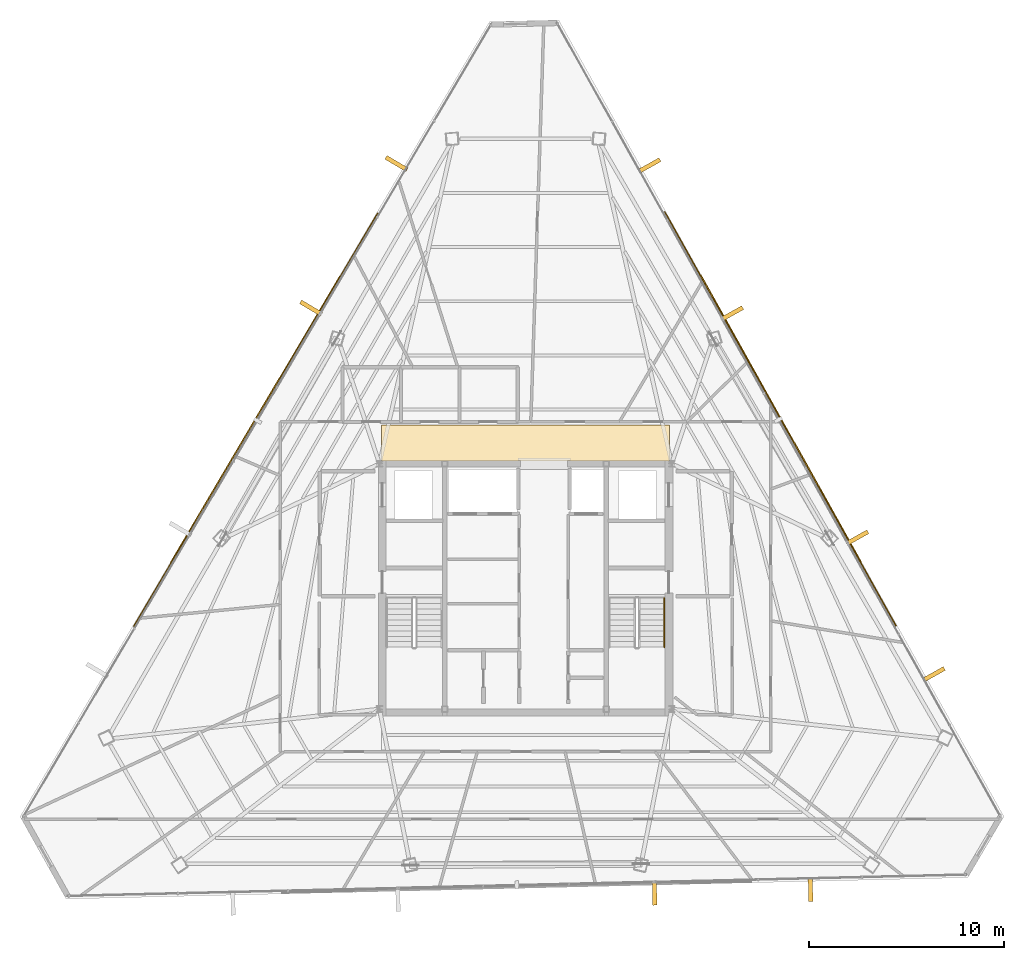
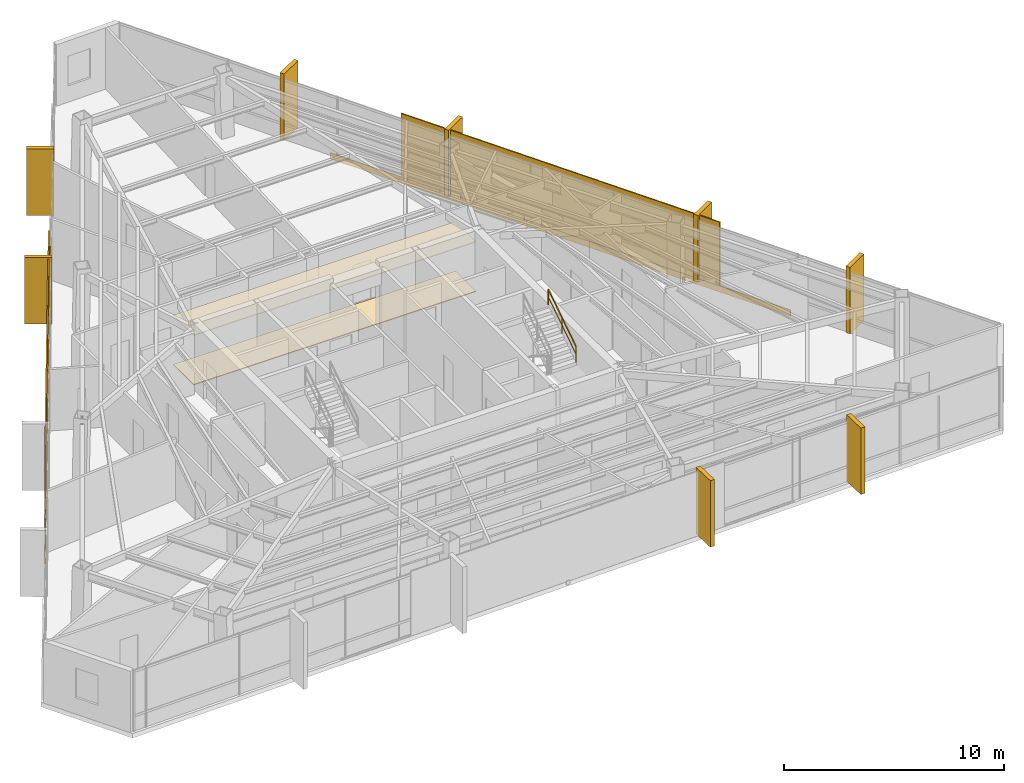
# One storey, part 44 of 44: 12 coverings, 2 shading devices, 1 railing.
"""IFC4 building model written with IfcOpenShell, lengths in metres."""

from ifc_helpers import new_model, si_unit, direction, frame, origin, origin_2d, place, context, subcontext, project, spatial, polyline, rectangle, outline, extrude, source, transform, mapped, material, layer, layer_set, type_object, type_shapes, element, save


model = new_model("IFC4")

# Units and contexts
model_context = context("Model", 3, precision=1e-05, world=origin(), true_north=direction((0.0, 1.0)))
body_context = subcontext(model_context, "Body", "Model", "MODEL_VIEW")
ifc_project = project(units=[si_unit("LENGTHUNIT", "METRE"), si_unit("AREAUNIT", "SQUARE_METRE"), si_unit("VOLUMEUNIT", "CUBIC_METRE"), si_unit("PLANEANGLEUNIT", "RADIAN"), si_unit("MASSUNIT", "GRAM", prefix="KILO")], contexts=[model_context])

# Site, building, storey
site_placement = place(None, origin())
site = spatial("IfcSite", under=ifc_project, at=site_placement, CompositionType="ELEMENT")
building_placement = place(site_placement, origin())
building = spatial("IfcBuilding", under=site, at=building_placement, Name="Caelisora Broadcast Tower", CompositionType="ELEMENT")
storey_placement = place(building_placement, frame((0.0, 0.0, 259.050048828125)))
storey = spatial("IfcBuildingStorey", under=building, at=storey_placement, Name="L68", CompositionType="ELEMENT", Elevation=259.050048828125)

# Coverings
ifc_material_1 = material(Name="Perforated Mineral-Fibre Acoustic Ceiling Tile", Category="gypsum")
ifc_layer_1 = layer(ifc_material_1, 0.034912109375, Name="Perforated Mineral-Fibre Acoustic Ceiling Tile")
ifc_layer_set_1 = layer_set([ifc_layer_1], Name="Perforated Mineral-Fibre Acoustic Ceiling Tile")
covering_type_1 = type_object("IfcCoveringType", Name="CE-1", PredefinedType="CEILING", material=ifc_layer_set_1)
covering_1_placement = place(storey_placement, frame((0.0, 0.0, 2.75)))
element("IfcCovering", 1, at=covering_1_placement, inside=storey, type_object=covering_type_1, Name="L68 acoustic corridor ceiling CE-1 (N)", PredefinedType="CEILING", context=body_context, shape_type="SweptSolid", body=[
    extrude(outline(polyline([(30.60009765625, 30.14990234375), (45.39990234375, 30.14990234375), (45.39990234375, 32.0), (30.60009765625, 32.0), (30.60009765625, 30.14990234375)])), origin(), (0.0, 0.0, 1.0), 0.034912109375),
])
ifc_material_2 = material(Name="Anti-Static Broadcast Raised Access Floor Panel", Category="steel")
ifc_layer_2 = layer(ifc_material_2, 0.044921875, Name="Anti-Static Broadcast Raised Access Floor Panel")
ifc_layer_set_2 = layer_set([ifc_layer_2], Name="Anti-Static Broadcast Raised Access Floor Panel")
covering_type_2 = type_object("IfcCoveringType", Name="FL-1", PredefinedType="FLOORING", material=ifc_layer_set_2)
covering_2_placement = place(storey_placement, origin())
element("IfcCovering", 2, at=covering_2_placement, inside=storey, type_object=covering_type_2, Name="L68 broadcast raised access floor FL-1 (N)", PredefinedType="FLOORING", context=body_context, shape_type="SweptSolid", body=[
    extrude(outline(polyline([(30.60009765625, 30.14990234375), (45.39990234375, 30.14990234375), (45.39990234375, 32.0), (30.60009765625, 32.0), (30.60009765625, 30.14990234375)])), origin(), (0.0, 0.0, 1.0), 0.044921875),
])

# Railing
ifc_material_3 = material(Name="Stainless Steel Grade 316 Tubular Handrail", Category="steel")
ifc_layer_3 = layer(ifc_material_3, 0.048095703125, Name="Stainless Steel Grade 316 Tubular Handrail")
ifc_layer_set_3 = layer_set([ifc_layer_3], Name="Stainless Steel Grade 316 Tubular Handrail")
railing_type = type_object("IfcRailingType", Name="HR-1", PredefinedType="HANDRAIL", material=ifc_layer_set_3)
railing_placement = place(storey_placement, frame((45.1298828125, 20.580078125, 2.007568359375)))
element("IfcRailing", 3, at=railing_placement, inside=storey, type_object=railing_type, Name="L68 ST-2 stair handrail 2", PredefinedType="HANDRAIL", context=body_context, shape_type="SweptSolid", body=[
    extrude(rectangle(XDim=0.048095703125, YDim=0.048095703125, at=origin_2d()), frame((0.0, 0.0, 0.8759765625), z_axis=(0.0, 0.837786554691, 0.545997883492), x_axis=(-1.0, 0.0, 0.0)), (0.0, 0.0, 1.0), 3.008056640625),
    extrude(rectangle(XDim=0.03125, YDim=0.03125, at=origin_2d()), frame((0.0, 0.0, 0.449951171875), z_axis=(0.0, 0.837786554691, 0.545997883492), x_axis=(-1.0, 0.0, 0.0)), (0.0, 0.0, 1.0), 3.008056640625),
    extrude(rectangle(XDim=0.0419921875, YDim=0.0419921875, at=origin_2d()), origin(), (0.0, 0.0, 1.0), 0.851806640625),
    extrude(rectangle(XDim=0.0419921875, YDim=0.0419921875, at=origin_2d()), frame((0.0, 1.260009765625, 0.8212890625)), (0.0, 0.0, 1.0), 0.851806640625),
    extrude(rectangle(XDim=0.0419921875, YDim=0.0419921875, at=origin_2d()), frame((0.0, 2.52001953125, 1.642333984375)), (0.0, 0.0, 1.0), 0.851806640625),
])

# Coverings
ifc_material_4 = material(Name="Kiln-Fired Terracotta Spandrel Rainscreen Cladding", Category="ceramic")
ifc_layer_4 = layer(ifc_material_4, 0.044921875, Name="Kiln-Fired Terracotta Spandrel Rainscreen Cladding")
ifc_layer_set_4 = layer_set([ifc_layer_4], Name="Kiln-Fired Terracotta Spandrel Rainscreen Cladding")
covering_type_3 = type_object("IfcCoveringType", Name="CL-1", PredefinedType="CLADDING", material=ifc_layer_set_4)
shared_shape_1 = source(origin(), body_context, "Body", "SweptSolid", [
    extrude(rectangle(XDim=0.219970703125, YDim=1.25, at=origin_2d()), origin(), (0.0, 0.0, 1.0), 3.68994140625),
])
for number, where, z_axis, x_axis, name in (
    (4, (44.35595703125, 45.306396484375, -0.02001953125), (0.0, 0.0, 1.0), (0.487859659139, -0.87292207727, 0.0), "L68 vertical solar fin cladding #1-1"),
    (5, (48.601806640625, 37.70947265625, -0.02001953125), (0.0, 0.0, 1.0), (0.487859659139, -0.87292207727, 0.0), "L68 vertical solar fin cladding #1-2"),
    (6, (55.033203125, 26.202880859375, -0.02001953125), (0.0, 0.0, 1.0), (0.487859659139, -0.87292207727, 0.0), "L68 vertical solar fin cladding #1-3"),
    (7, (58.95703125, 19.1826171875, -0.02001953125), (0.0, 0.0, 1.0), (0.487859659139, -0.87292207727, 0.0), "L68 vertical solar fin cladding #1-4"),
    (8, (52.631591796875, 8.14501953125, -0.02001953125), (0.0, 0.0, 1.0), (-0.999718303037, -0.023734248954, 0.0), "L68 vertical solar fin cladding #2-1"),
    (9, (44.62548828125, 7.955078125, -0.02001953125), (0.0, 0.0, 1.0), (-0.999718303037, -0.023734248954, 0.0), "L68 vertical solar fin cladding #2-2"),
    (10, (26.98583984375, 37.991943359375, -0.02001953125), (0.0, 0.0, 1.0), (0.508440380454, 0.861097195167, 0.0), "L68 vertical solar fin cladding #3-3"),
    (11, (31.368408203125, 45.413330078125, -0.02001953125), (0.0, 0.0, 1.0), (0.508440380454, 0.861097195167, 0.0), "L68 vertical solar fin cladding #3-4"),
):
    element("IfcCovering", number, at=place(storey_placement, frame(where, z_axis=z_axis, x_axis=x_axis)), inside=storey, type_object=covering_type_3, Name=name, PredefinedType="CLADDING", context=body_context, shape_type="MappedRepresentation", body=[
        mapped(shared_shape_1, transform((0.0, 0.0, 0.0), scale=1.0)),
    ])

# Shading device
ifc_material_5 = material(Name="Perforated Glazed Terracotta Baguette Solar Screen", Category="ceramic")
ifc_layer_5 = layer(ifc_material_5, 0.06494140625, Name="Perforated Glazed Terracotta Baguette Solar Screen")
ifc_layer_set_5 = layer_set([ifc_layer_5], Name="Perforated Glazed Terracotta Baguette Solar Screen")
shading_device_type = type_object("IfcShadingDeviceType", Name="SS-1", PredefinedType="USERDEFINED", material=ifc_layer_set_5)
shared_shape_2 = source(origin(), body_context, "Body", "SweptSolid", [
    extrude(rectangle(XDim=17.06591796875, YDim=0.06494140625, at=origin_2d()), origin(), (0.0, 0.0, 1.0), 3.590087890625),
])
shading_device_1_placement = place(storey_placement, frame((24.12841796875, 32.268310546875, 0.0), z_axis=(0.0, 0.0, 1.0), x_axis=(-0.508440380454, -0.861097195167, 0.0)))
element("IfcShadingDevice", 12, at=shading_device_1_placement, inside=storey, type_object=shading_device_type, Name="L68 perforated terracotta solar screen #1", ObjectType="SOLAR SCREEN", PredefinedType="USERDEFINED", context=body_context, shape_type="MappedRepresentation", body=[
    mapped(shared_shape_2, transform((0.0, 0.0, 0.0), scale=1.0)),
])

# Covering
shared_shape_3 = source(origin(), body_context, "Body", "SweptSolid", [
    extrude(rectangle(XDim=24.64990234375, YDim=0.044921875, at=origin_2d()), origin(), (0.0, 0.0, 1.0), 0.340087890625),
])
covering_3_placement = place(storey_placement, frame((24.145751953125, 32.258056640625, -0.27001953125), z_axis=(0.0, 0.0, 1.0), x_axis=(-0.508440380454, -0.861097195167, 0.0)))
element("IfcCovering", 13, at=covering_3_placement, inside=storey, type_object=covering_type_3, Name="L68 terracotta spandrel rainscreen #1", PredefinedType="CLADDING", context=body_context, shape_type="MappedRepresentation", body=[
    mapped(shared_shape_3, transform((0.0, 0.0, 0.0), scale=1.0)),
])

# Shading device
shared_shape_4 = source(origin(), body_context, "Body", "SweptSolid", [
    extrude(rectangle(XDim=16.865966796875, YDim=0.06494140625, at=origin_2d()), origin(), (0.0, 0.0, 1.0), 3.590087890625),
])
type_shapes(shading_device_type, [shared_shape_2, shared_shape_4])
shading_device_2_placement = place(storey_placement, frame((51.1015625, 32.31494140625, 0.0), z_axis=(0.0, 0.0, 1.0), x_axis=(-0.487859659139, 0.87292207727, 0.0)))
element("IfcShadingDevice", 14, at=shading_device_2_placement, inside=storey, type_object=shading_device_type, Name="L68 perforated terracotta solar screen #3", ObjectType="SOLAR SCREEN", PredefinedType="USERDEFINED", context=body_context, shape_type="MappedRepresentation", body=[
    mapped(shared_shape_4, transform((0.0, 0.0, 0.0), scale=1.0)),
])

# Covering
shared_shape_5 = source(origin(), body_context, "Body", "SweptSolid", [
    extrude(rectangle(XDim=24.362060546875, YDim=0.044921875, at=origin_2d()), origin(), (0.0, 0.0, 1.0), 0.340087890625),
])
type_shapes(covering_type_3, [shared_shape_1, shared_shape_3, shared_shape_5])
covering_4_placement = place(storey_placement, frame((51.083984375, 32.30517578125, -0.27001953125), z_axis=(0.0, 0.0, 1.0), x_axis=(-0.487859659139, 0.87292207727, 0.0)))
element("IfcCovering", 15, at=covering_4_placement, inside=storey, type_object=covering_type_3, Name="L68 terracotta spandrel rainscreen #3", PredefinedType="CLADDING", context=body_context, shape_type="MappedRepresentation", body=[
    mapped(shared_shape_5, transform((0.0, 0.0, 0.0), scale=1.0)),
])

save(model, "model.ifc")
